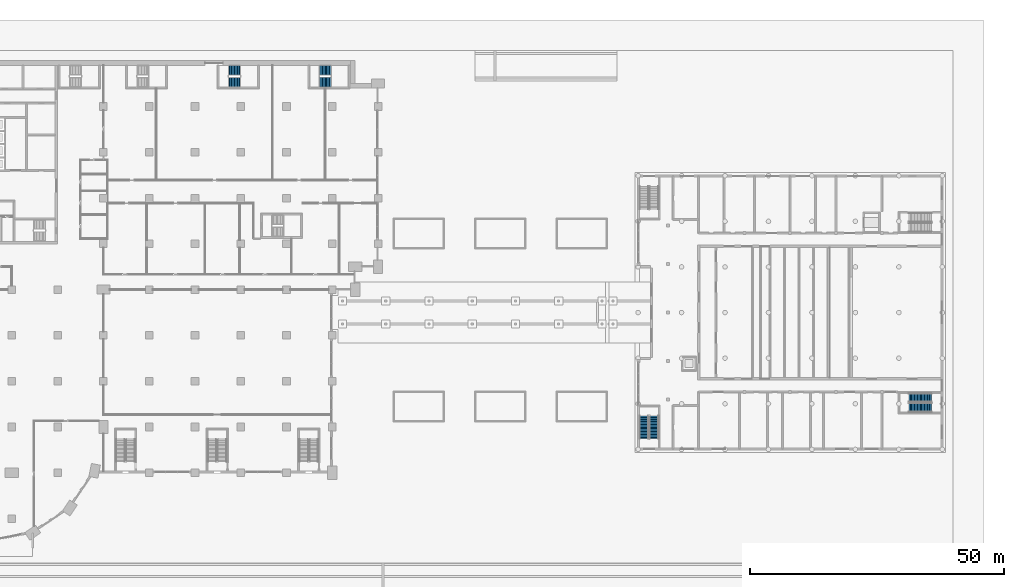
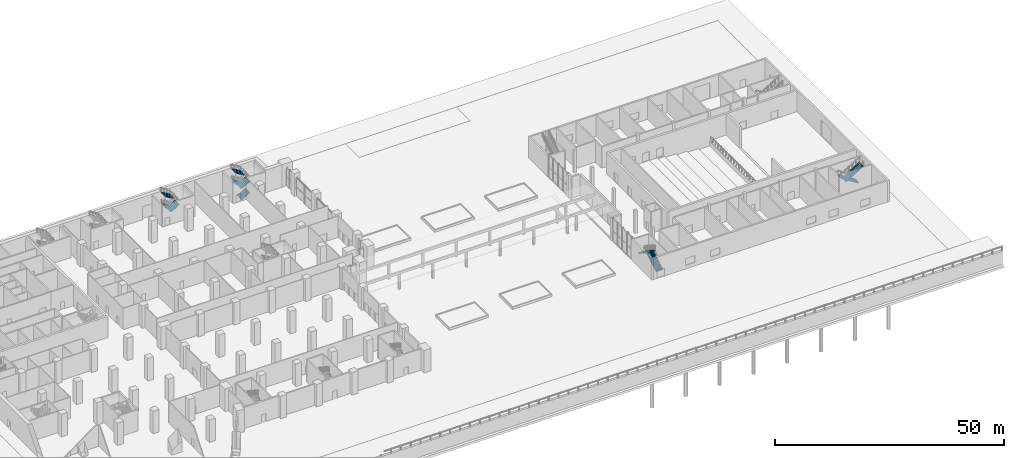
# One storey, part 33 of 47: 11 stair flights, 4 elements without a shape of their own.
"""IFC4 building model written with IfcOpenShell, lengths in metres."""

import ifcopenshell
import ifcopenshell.guid

model = None  # the IFC model being written
_history = None  # IfcOwnerHistory: only IFC2X3 demands one
_inside = {}  # id of a spatial element -> (the spatial element, [elements in it])
_under = {}  # id of a project, library or spatial element -> (it, [spatial elements below it])
_declared = {}  # id of a project -> (the project, [libraries it declares])
_typed = {}  # id of a type object -> (the type object, [elements of that type])
_made_of = {}  # id of a material, layer set ... -> (it, [elements and type objects made of it])


def new_model(schema):
    """Start an empty IFC model of exactly this schema.

    Asked for "IFC4X3", IfcOpenShell would pick the latest addendum, in which some entities
    have other attributes; the version numbers below select the first issue.
    IFC2X3 requires an IfcOwnerHistory on every rooted entity: one is made here for all.
    """
    global model, _history
    if schema == "IFC4X3":
        model = ifcopenshell.file(schema_version=(4, 3, 0, 0))
    else:
        model = ifcopenshell.file(schema=schema)
    _inside.clear()
    _under.clear()
    _declared.clear()
    _typed.clear()
    _made_of.clear()
    _history = None
    if model.schema == "IFC2X3":
        org = make("IfcOrganization", Name="unknown")
        user = make(
            "IfcPersonAndOrganization",
            ThePerson=make("IfcPerson", FamilyName="unknown"),
            TheOrganization=org,
        )
        app = make(
            "IfcApplication",
            ApplicationDeveloper=org,
            Version="unknown",
            ApplicationFullName="unknown",
            ApplicationIdentifier="unknown",
        )
        _history = make(
            "IfcOwnerHistory",
            OwningUser=user,
            OwningApplication=app,
            ChangeAction="ADDED",
            CreationDate=0,
        )
    return model


def make(cls, **values):
    """One entity of the class cls with the attributes given. An attribute that is None is left unset."""
    return model.create_entity(
        cls, **{name: value for name, value in values.items() if value is not None}
    )


def rooted(cls, **values):
    """An entity with a GlobalId (a new one), such as an element, a storey or a relation."""
    return make(cls, GlobalId=ifcopenshell.guid.new(), OwnerHistory=_history, **values)


def si_unit(unit_type, name, prefix=None):
    """IfcSIUnit, for example si_unit("LENGTHUNIT", "METRE", prefix="MILLI")."""
    return make("IfcSIUnit", UnitType=unit_type, Prefix=prefix, Name=name)


def assignment(units):
    """IfcUnitAssignment: the units of a project."""
    return None if units is None else make("IfcUnitAssignment", Units=units)


def point(xyz):
    """IfcCartesianPoint."""
    return None if xyz is None else make("IfcCartesianPoint", Coordinates=xyz)


def direction(xyz):
    """IfcDirection."""
    return None if xyz is None else make("IfcDirection", DirectionRatios=xyz)


def frame(location, z_axis=None, x_axis=None):
    """IfcAxis2Placement3D, a coordinate frame: its origin and axes. An axis left out is left unset."""
    return make(
        "IfcAxis2Placement3D",
        Location=point(location),
        Axis=direction(z_axis),
        RefDirection=direction(x_axis),
    )


def origin():
    """The frame at (0, 0, 0) with its axes left unset."""
    return frame((0.0, 0.0, 0.0))


def place(relative_to, where):
    """IfcLocalPlacement: puts the frame where relative to a parent placement (None: the world)."""
    return make(
        "IfcLocalPlacement", PlacementRelTo=relative_to, RelativePlacement=where
    )


def context(
    kind, dimensions, precision=None, world=None, true_north=None, identifier=None
):
    """IfcGeometricRepresentationContext, for example the 3D "Model" context."""
    return make(
        "IfcGeometricRepresentationContext",
        ContextIdentifier=identifier,
        ContextType=kind,
        CoordinateSpaceDimension=dimensions,
        Precision=precision,
        WorldCoordinateSystem=world,
        TrueNorth=true_north,
    )


def subcontext(parent, identifier, kind, view, scale=None):
    """IfcGeometricRepresentationSubContext, for example "Body" below "Model"."""
    return make(
        "IfcGeometricRepresentationSubContext",
        ContextIdentifier=identifier,
        ContextType=kind,
        ParentContext=parent,
        TargetScale=scale,
        TargetView=view,
    )


def project(units=None, contexts=None):
    """IfcProject with its units and contexts."""
    return rooted(
        "IfcProject",
        Name="project",
        RepresentationContexts=contexts,
        UnitsInContext=assignment(units),
    )


def spatial(cls, under=None, at=None, **own):
    """A site, building, storey or space (cls), placed at a placement, below another one or the project."""
    s = rooted(cls, ObjectPlacement=at, **own)
    if under is not None:
        _under.setdefault(under.id(), (under, []))[1].append(s)
    return s


def polyline(points):
    """IfcPolyline through the points."""
    return make("IfcPolyline", Points=[point(p) for p in points])


def outline(outer, holes=None, kind="AREA"):
    """IfcArbitraryClosedProfileDef: a profile drawn as a closed curve; with holes, ...WithVoids."""
    if holes is None:
        return make("IfcArbitraryClosedProfileDef", ProfileType=kind, OuterCurve=outer)
    return make(
        "IfcArbitraryProfileDefWithVoids",
        ProfileType=kind,
        OuterCurve=outer,
        InnerCurves=holes,
    )


def extrude(swept, where, along, depth):
    """IfcExtrudedAreaSolid: the profile swept, set in the frame where, extruded along a direction by depth."""
    return make(
        "IfcExtrudedAreaSolid",
        SweptArea=swept,
        Position=where,
        ExtrudedDirection=direction(along),
        Depth=depth,
    )


def shape(context_of_items, identifier, shape_type, items):
    """IfcShapeRepresentation: the items that make up one representation, for example the "Body"."""
    return make(
        "IfcShapeRepresentation",
        ContextOfItems=context_of_items,
        RepresentationIdentifier=identifier,
        RepresentationType=shape_type,
        Items=items,
    )


def material(Name=None, Category=None):
    """IfcMaterial."""
    return make("IfcMaterial", Name=Name, Category=Category)


def made_of(thing, what):
    """Note that an element or type object is made of a material, layer set ...; save() writes the relation."""
    if what is not None:
        _made_of.setdefault(what.id(), (what, []))[1].append(thing)
    return thing


def type_object(cls, material=None, **own):
    """A type object (cls), such as IfcWallType, which elements share."""
    return made_of(rooted(cls, **own), material)


def element(
    cls,
    number,
    at=None,
    inside=None,
    cuts=None,
    type_object=None,
    material=None,
    context=None,
    identifier="Body",
    shape_type=None,
    held_by="IfcProductDefinitionShape",
    body=None,
    shapes=None,
    **own,
):
    """One element of the class cls, such as IfcWall. Its Tag is "e" and its number.

    at: its placement. inside: the storey or other place that contains it. cuts: it is an
    opening in that element (IfcRelVoidsElement). A single representation is given by context,
    identifier, shape_type and body (its items); several are given by shapes. held_by: the class
    of the entity that holds the representations. save() writes the other relations.
    """
    e = rooted(cls, Tag="e%d" % number, ObjectPlacement=at, **own)
    if body is not None:
        shapes = [shape(context, identifier, shape_type, body)]
    if shapes is not None:
        e.Representation = make(held_by, Representations=shapes)
    if inside is not None:
        _inside.setdefault(inside.id(), (inside, []))[1].append(e)
    if cuts is not None:
        rooted(
            "IfcRelVoidsElement", RelatingBuildingElement=cuts, RelatedOpeningElement=e
        )
    if type_object is not None:
        _typed.setdefault(type_object.id(), (type_object, []))[1].append(e)
    return made_of(e, material)


def aggregate(whole, parts):
    """IfcRelAggregates: a whole, such as a stair, and the parts it consists of."""
    return rooted("IfcRelAggregates", RelatingObject=whole, RelatedObjects=parts)


def save(model, path):
    """Write the relations noted so far, then the file.

    IfcRelAggregates (storeys below a building ...), IfcRelContainedInSpatialStructure (elements
    in a storey), IfcRelDefinesByType, IfcRelAssociatesMaterial and IfcRelDeclares: one each for
    every whole, place, type object, material and project.
    """
    for whole, parts in _under.values():
        aggregate(whole, parts)
    for where, things in _inside.values():
        rooted(
            "IfcRelContainedInSpatialStructure",
            RelatedElements=things,
            RelatingStructure=where,
        )
    for kind, things in _typed.values():
        rooted("IfcRelDefinesByType", RelatedObjects=things, RelatingType=kind)
    for what, things in _made_of.values():
        rooted("IfcRelAssociatesMaterial", RelatedObjects=things, RelatingMaterial=what)
    for by, libraries in _declared.values():
        rooted("IfcRelDeclares", RelatingContext=by, RelatedDefinitions=libraries)
    model.write(path)


model = new_model("IFC4")

# Units and contexts
model_context = context("Model", 3, precision=1e-05, world=origin(), true_north=direction((0.0, 1.0)))
body_context = subcontext(model_context, "Body", "Model", "MODEL_VIEW")
ifc_project = project(units=[si_unit("LENGTHUNIT", "METRE"), si_unit("AREAUNIT", "SQUARE_METRE"), si_unit("VOLUMEUNIT", "CUBIC_METRE"), si_unit("PLANEANGLEUNIT", "RADIAN"), si_unit("MASSUNIT", "GRAM", prefix="KILO")], contexts=[model_context])

# Site, building, storey
site_placement = place(None, origin())
site = spatial("IfcSite", under=ifc_project, at=site_placement, CompositionType="ELEMENT")
building_placement = place(site_placement, origin())
building = spatial("IfcBuilding", under=site, at=building_placement, Name="Hunhe Ridgeline Campus", CompositionType="ELEMENT")
storey_placement = place(building_placement, origin())
storey = spatial("IfcBuildingStorey", under=building, at=storey_placement, Name="L00", CompositionType="ELEMENT", Elevation=0.0)

# Stair, stair flights
ifc_material = material(Name="Concrete C40", Category="concrete")
stair_type_1 = type_object("IfcStairType", Name="Hall exit stair 1800", PredefinedType="HALF_TURN_STAIR", material=ifc_material)
stair_1_placement = place(storey_placement, origin())
stair_1 = element("IfcStair", 1, at=stair_1_placement, inside=storey, type_object=stair_type_1, Name="L00 hall stair HS1", PredefinedType="HALF_TURN_STAIR")
stair_flight_type_1 = type_object("IfcStairFlightType", Name="Hall stair flight 1800", PredefinedType="STRAIGHT", material=ifc_material)
stair_flight_1_placement = place(storey_placement, frame((153.25, 24.699951171875, 0.0), z_axis=(0.0, 0.0, 1.0), x_axis=(0.0, 1.0, 0.0)))
stair_flight_1 = element("IfcStairFlight", 2, at=stair_flight_1_placement, type_object=stair_flight_type_1, Name="HS1 flight 1", NumberOfRisers=17, NumberOfTreads=16, PredefinedType="STRAIGHT", RiserHeight=0.176470588, TreadLength=0.28, context=body_context, shape_type="SweptSolid", body=[
    extrude(outline(polyline([(0.0, 0.0), (0.0, 0.176513671875), (0.280029296875, 0.176513671875), (0.280029296875, 0.35302734375), (0.56005859375, 0.35302734375), (0.56005859375, 0.529296875), (0.840087890625, 0.529296875), (0.840087890625, 0.705810546875), (1.1201171875, 0.705810546875), (1.1201171875, 0.88232421875), (1.39990234375, 0.88232421875), (1.39990234375, 1.058837890625), (1.679931640625, 1.058837890625), (1.679931640625, 1.2353515625), (1.9599609375, 1.2353515625), (1.9599609375, 1.411865234375), (2.239990234375, 1.411865234375), (2.239990234375, 1.588134765625), (2.52001953125, 1.588134765625), (2.52001953125, 1.7646484375), (2.800048828125, 1.7646484375), (2.800048828125, 1.941162109375), (3.080078125, 1.941162109375), (3.080078125, 2.11767578125), (3.360107421875, 2.11767578125), (3.360107421875, 2.294189453125), (3.639892578125, 2.294189453125), (3.639892578125, 2.470703125), (3.919921875, 2.470703125), (3.919921875, 2.64697265625), (4.199951171875, 2.64697265625), (4.199951171875, 2.823486328125), (4.47998046875, 2.823486328125), (4.47998046875, 3.0), (4.47998046875, 2.646240234375), (0.28125, 0.0), (0.0, 0.0)])), frame((0.0, 0.89990234375, 0.0), z_axis=(0.0, -1.0, 0.0), x_axis=(1.0, 0.0, 0.0)), (0.0, 0.0, 1.0), 1.800048828125),
])
stair_flight_2_placement = place(storey_placement, frame((151.300048828125, 29.179931640625, 3.0), z_axis=(0.0, 0.0, 1.0), x_axis=(0.0, -1.0, 0.0)))
stair_flight_2 = element("IfcStairFlight", 3, at=stair_flight_2_placement, type_object=stair_flight_type_1, Name="HS1 flight 2", NumberOfRisers=17, NumberOfTreads=16, PredefinedType="STRAIGHT", RiserHeight=0.176470588, TreadLength=0.28, context=body_context, shape_type="SweptSolid", body=[
    extrude(outline(polyline([(0.0, 0.0), (0.0, 0.176513671875), (0.280029296875, 0.176513671875), (0.280029296875, 0.35302734375), (0.56005859375, 0.35302734375), (0.56005859375, 0.529296875), (0.840087890625, 0.529296875), (0.840087890625, 0.705810546875), (1.1201171875, 0.705810546875), (1.1201171875, 0.88232421875), (1.39990234375, 0.88232421875), (1.39990234375, 1.058837890625), (1.679931640625, 1.058837890625), (1.679931640625, 1.2353515625), (1.9599609375, 1.2353515625), (1.9599609375, 1.411865234375), (2.239990234375, 1.411865234375), (2.239990234375, 1.588134765625), (2.52001953125, 1.588134765625), (2.52001953125, 1.7646484375), (2.800048828125, 1.7646484375), (2.800048828125, 1.941162109375), (3.080078125, 1.941162109375), (3.080078125, 2.11767578125), (3.360107421875, 2.11767578125), (3.360107421875, 2.294189453125), (3.639892578125, 2.294189453125), (3.639892578125, 2.470703125), (3.919921875, 2.470703125), (3.919921875, 2.64697265625), (4.199951171875, 2.64697265625), (4.199951171875, 2.823486328125), (4.47998046875, 2.823486328125), (4.47998046875, 3.0), (4.47998046875, 2.646240234375), (0.28125, 0.0), (0.0, 0.0)])), frame((0.0, 0.89990234375, 0.0), z_axis=(0.0, -1.0, 0.0), x_axis=(1.0, 0.0, 0.0)), (0.0, 0.0, 1.0), 1.800048828125),
])
aggregate(stair_1, [stair_flight_1, stair_flight_2])

stair_2_placement = place(storey_placement, origin())
stair_2 = element("IfcStair", 4, at=stair_2_placement, inside=storey, type_object=stair_type_1, Name="L00 hall stair HS3", PredefinedType="HALF_TURN_STAIR")
stair_flight_3_placement = place(storey_placement, frame((207.800048828125, 32.75, 0.0), z_axis=(0.0, 0.0, 1.0), x_axis=(-1.0, 0.0, 0.0)))
stair_flight_3 = element("IfcStairFlight", 5, at=stair_flight_3_placement, type_object=stair_flight_type_1, Name="HS3 flight 1", NumberOfRisers=17, NumberOfTreads=16, PredefinedType="STRAIGHT", RiserHeight=0.176470588, TreadLength=0.28, context=body_context, shape_type="SweptSolid", body=[
    extrude(outline(polyline([(0.0, 0.0), (0.0, 0.176513671875), (0.280029296875, 0.176513671875), (0.280029296875, 0.35302734375), (0.56005859375, 0.35302734375), (0.56005859375, 0.529296875), (0.840087890625, 0.529296875), (0.840087890625, 0.705810546875), (1.1201171875, 0.705810546875), (1.1201171875, 0.88232421875), (1.39990234375, 0.88232421875), (1.39990234375, 1.058837890625), (1.679931640625, 1.058837890625), (1.679931640625, 1.2353515625), (1.9599609375, 1.2353515625), (1.9599609375, 1.411865234375), (2.239990234375, 1.411865234375), (2.239990234375, 1.588134765625), (2.52001953125, 1.588134765625), (2.52001953125, 1.7646484375), (2.800048828125, 1.7646484375), (2.800048828125, 1.941162109375), (3.080078125, 1.941162109375), (3.080078125, 2.11767578125), (3.360107421875, 2.11767578125), (3.360107421875, 2.294189453125), (3.639892578125, 2.294189453125), (3.639892578125, 2.470703125), (3.919921875, 2.470703125), (3.919921875, 2.64697265625), (4.199951171875, 2.64697265625), (4.199951171875, 2.823486328125), (4.47998046875, 2.823486328125), (4.47998046875, 3.0), (4.47998046875, 2.646240234375), (0.28125, 0.0), (0.0, 0.0)])), frame((0.0, 0.89990234375, 0.0), z_axis=(0.0, -1.0, 0.0), x_axis=(1.0, 0.0, 0.0)), (0.0, 0.0, 1.0), 1.800048828125),
])
stair_flight_4_placement = place(storey_placement, frame((203.320068359375, 30.800048828125, 3.0), z_axis=(0.0, 0.0, 1.0), x_axis=(1.0, 0.0, 0.0)))
stair_flight_4 = element("IfcStairFlight", 6, at=stair_flight_4_placement, type_object=stair_flight_type_1, Name="HS3 flight 2", NumberOfRisers=17, NumberOfTreads=16, PredefinedType="STRAIGHT", RiserHeight=0.176470588, TreadLength=0.28, context=body_context, shape_type="SweptSolid", body=[
    extrude(outline(polyline([(0.0, 0.0), (0.0, 0.176513671875), (0.280029296875, 0.176513671875), (0.280029296875, 0.35302734375), (0.56005859375, 0.35302734375), (0.56005859375, 0.529296875), (0.840087890625, 0.529296875), (0.840087890625, 0.705810546875), (1.1201171875, 0.705810546875), (1.1201171875, 0.88232421875), (1.39990234375, 0.88232421875), (1.39990234375, 1.058837890625), (1.679931640625, 1.058837890625), (1.679931640625, 1.2353515625), (1.9599609375, 1.2353515625), (1.9599609375, 1.411865234375), (2.239990234375, 1.411865234375), (2.239990234375, 1.588134765625), (2.52001953125, 1.588134765625), (2.52001953125, 1.7646484375), (2.800048828125, 1.7646484375), (2.800048828125, 1.941162109375), (3.080078125, 1.941162109375), (3.080078125, 2.11767578125), (3.360107421875, 2.11767578125), (3.360107421875, 2.294189453125), (3.639892578125, 2.294189453125), (3.639892578125, 2.470703125), (3.919921875, 2.470703125), (3.919921875, 2.64697265625), (4.199951171875, 2.64697265625), (4.199951171875, 2.823486328125), (4.47998046875, 2.823486328125), (4.47998046875, 3.0), (4.47998046875, 2.646240234375), (0.28125, 0.0), (0.0, 0.0)])), frame((0.0, 0.89990234375, 0.0), z_axis=(0.0, -1.0, 0.0), x_axis=(1.0, 0.0, 0.0)), (0.0, 0.0, 1.0), 1.800048828125),
])
aggregate(stair_2, [stair_flight_3, stair_flight_4])

stair_type_2 = type_object("IfcStairType", Name="Reinforced concrete dog-leg stair 1950 Concrete C40", PredefinedType="HALF_TURN_STAIR", material=ifc_material)
stair_3_placement = place(storey_placement, origin())
stair_3 = element("IfcStair", 7, at=stair_3_placement, inside=storey, type_object=stair_type_2, Name="L00 E3", PredefinedType="HALF_TURN_STAIR")
stair_flight_type_2 = type_object("IfcStairFlightType", Name="Reinforced concrete stair flight 1950 Concrete C40", PredefinedType="STRAIGHT", material=ifc_material)
stair_flight_5_placement = place(storey_placement, frame((71.889892578125, 97.125, 1.5), z_axis=(0.0, 0.0, 1.0), x_axis=(-1.0, 0.0, 0.0)))
stair_flight_5 = element("IfcStairFlight", 8, at=stair_flight_5_placement, type_object=stair_flight_type_2, Name="ST7 flight 2", NumberOfRisers=9, NumberOfTreads=8, PredefinedType="STRAIGHT", RiserHeight=0.166666667, TreadLength=0.28, context=body_context, shape_type="SweptSolid", body=[
    extrude(outline(polyline([(0.0, 0.0), (0.0, 0.166748046875), (0.280029296875, 0.166748046875), (0.280029296875, 0.333251953125), (0.56005859375, 0.333251953125), (0.56005859375, 0.5), (0.840087890625, 0.5), (0.840087890625, 0.666748046875), (1.1201171875, 0.666748046875), (1.1201171875, 0.833251953125), (1.39990234375, 0.833251953125), (1.39990234375, 1.0), (1.679931640625, 1.0), (1.679931640625, 1.166748046875), (1.9599609375, 1.166748046875), (1.9599609375, 1.333251953125), (2.239990234375, 1.333251953125), (2.239990234375, 1.5), (2.239990234375, 1.158935546875), (0.29296875, 0.0), (0.0, 0.0)])), frame((0.0, 0.97509765625, 0.0), z_axis=(0.0, -1.0, 0.0), x_axis=(1.0, 0.0, 0.0)), (0.0, 0.0, 1.0), 1.949951171875),
    extrude(outline(polyline([(0.030029296875, 0.030029296875), (0.030029296875, 0.13671875), (0.31005859375, 0.13671875), (0.31005859375, 0.30322265625), (0.590087890625, 0.30322265625), (0.590087890625, 0.469970703125), (0.8701171875, 0.469970703125), (0.8701171875, 0.63671875), (1.14990234375, 0.63671875), (1.14990234375, 0.80322265625), (1.429931640625, 0.80322265625), (1.429931640625, 0.969970703125), (1.7099609375, 0.969970703125), (1.7099609375, 1.13671875), (1.989990234375, 1.13671875), (1.989990234375, 1.30322265625), (2.2099609375, 1.30322265625), (2.2099609375, 1.17578125), (0.284912109375, 0.030029296875), (0.030029296875, 0.030029296875)])), frame((0.0, -0.070068359375, 0.0), z_axis=(0.0, -1.0, 0.0), x_axis=(1.0, 0.0, 0.0)), (0.0, 0.0, 1.0), 0.019775390625),
    extrude(outline(polyline([(0.030029296875, 0.030029296875), (0.030029296875, 0.13671875), (0.31005859375, 0.13671875), (0.31005859375, 0.30322265625), (0.590087890625, 0.30322265625), (0.590087890625, 0.469970703125), (0.8701171875, 0.469970703125), (0.8701171875, 0.63671875), (1.14990234375, 0.63671875), (1.14990234375, 0.80322265625), (1.429931640625, 0.80322265625), (1.429931640625, 0.969970703125), (1.7099609375, 0.969970703125), (1.7099609375, 1.13671875), (1.989990234375, 1.13671875), (1.989990234375, 1.30322265625), (2.2099609375, 1.30322265625), (2.2099609375, 1.17578125), (0.284912109375, 0.030029296875), (0.030029296875, 0.030029296875)])), frame((0.0, 0.010009765625, 0.0), z_axis=(0.0, -1.0, 0.0), x_axis=(1.0, 0.0, 0.0)), (0.0, 0.0, 1.0), 0.019775390625),
    extrude(outline(polyline([(0.030029296875, 0.030029296875), (0.030029296875, 0.13671875), (0.31005859375, 0.13671875), (0.31005859375, 0.30322265625), (0.590087890625, 0.30322265625), (0.590087890625, 0.469970703125), (0.8701171875, 0.469970703125), (0.8701171875, 0.63671875), (1.14990234375, 0.63671875), (1.14990234375, 0.80322265625), (1.429931640625, 0.80322265625), (1.429931640625, 0.969970703125), (1.7099609375, 0.969970703125), (1.7099609375, 1.13671875), (1.989990234375, 1.13671875), (1.989990234375, 1.30322265625), (2.2099609375, 1.30322265625), (2.2099609375, 1.17578125), (0.284912109375, 0.030029296875), (0.030029296875, 0.030029296875)])), frame((0.0, 0.090087890625, 0.0), z_axis=(0.0, -1.0, 0.0), x_axis=(1.0, 0.0, 0.0)), (0.0, 0.0, 1.0), 0.019775390625),
])
stair_flight_6_placement = place(storey_placement, frame((69.64990234375, 94.77490234375, 3.0), z_axis=(0.0, 0.0, 1.0), x_axis=(1.0, 0.0, 0.0)))
stair_flight_6 = element("IfcStairFlight", 9, at=stair_flight_6_placement, type_object=stair_flight_type_2, Name="ST7 flight 3", NumberOfRisers=9, NumberOfTreads=8, PredefinedType="STRAIGHT", RiserHeight=0.166666667, TreadLength=0.28, context=body_context, shape_type="SweptSolid", body=[
    extrude(outline(polyline([(0.0, 0.0), (0.0, 0.166748046875), (0.280029296875, 0.166748046875), (0.280029296875, 0.333251953125), (0.56005859375, 0.333251953125), (0.56005859375, 0.5), (0.840087890625, 0.5), (0.840087890625, 0.666748046875), (1.1201171875, 0.666748046875), (1.1201171875, 0.833251953125), (1.39990234375, 0.833251953125), (1.39990234375, 1.0), (1.679931640625, 1.0), (1.679931640625, 1.166748046875), (1.9599609375, 1.166748046875), (1.9599609375, 1.333251953125), (2.239990234375, 1.333251953125), (2.239990234375, 1.5), (2.239990234375, 1.158935546875), (0.29296875, 0.0), (0.0, 0.0)])), frame((0.0, 0.97509765625, 0.0), z_axis=(0.0, -1.0, 0.0), x_axis=(1.0, 0.0, 0.0)), (0.0, 0.0, 1.0), 1.949951171875),
    extrude(outline(polyline([(0.030029296875, 0.030029296875), (0.030029296875, 0.13671875), (0.31005859375, 0.13671875), (0.31005859375, 0.30322265625), (0.590087890625, 0.30322265625), (0.590087890625, 0.469970703125), (0.8701171875, 0.469970703125), (0.8701171875, 0.63671875), (1.14990234375, 0.63671875), (1.14990234375, 0.80322265625), (1.429931640625, 0.80322265625), (1.429931640625, 0.969970703125), (1.7099609375, 0.969970703125), (1.7099609375, 1.13671875), (1.989990234375, 1.13671875), (1.989990234375, 1.30322265625), (2.2099609375, 1.30322265625), (2.2099609375, 1.17578125), (0.284912109375, 0.030029296875), (0.030029296875, 0.030029296875)])), frame((0.0, -0.070068359375, 0.0), z_axis=(0.0, -1.0, 0.0), x_axis=(1.0, 0.0, 0.0)), (0.0, 0.0, 1.0), 0.019775390625),
    extrude(outline(polyline([(0.030029296875, 0.030029296875), (0.030029296875, 0.13671875), (0.31005859375, 0.13671875), (0.31005859375, 0.30322265625), (0.590087890625, 0.30322265625), (0.590087890625, 0.469970703125), (0.8701171875, 0.469970703125), (0.8701171875, 0.63671875), (1.14990234375, 0.63671875), (1.14990234375, 0.80322265625), (1.429931640625, 0.80322265625), (1.429931640625, 0.969970703125), (1.7099609375, 0.969970703125), (1.7099609375, 1.13671875), (1.989990234375, 1.13671875), (1.989990234375, 1.30322265625), (2.2099609375, 1.30322265625), (2.2099609375, 1.17578125), (0.284912109375, 0.030029296875), (0.030029296875, 0.030029296875)])), frame((0.0, 0.010009765625, 0.0), z_axis=(0.0, -1.0, 0.0), x_axis=(1.0, 0.0, 0.0)), (0.0, 0.0, 1.0), 0.019775390625),
    extrude(outline(polyline([(0.030029296875, 0.030029296875), (0.030029296875, 0.13671875), (0.31005859375, 0.13671875), (0.31005859375, 0.30322265625), (0.590087890625, 0.30322265625), (0.590087890625, 0.469970703125), (0.8701171875, 0.469970703125), (0.8701171875, 0.63671875), (1.14990234375, 0.63671875), (1.14990234375, 0.80322265625), (1.429931640625, 0.80322265625), (1.429931640625, 0.969970703125), (1.7099609375, 0.969970703125), (1.7099609375, 1.13671875), (1.989990234375, 1.13671875), (1.989990234375, 1.30322265625), (2.2099609375, 1.30322265625), (2.2099609375, 1.17578125), (0.284912109375, 0.030029296875), (0.030029296875, 0.030029296875)])), frame((0.0, 0.090087890625, 0.0), z_axis=(0.0, -1.0, 0.0), x_axis=(1.0, 0.0, 0.0)), (0.0, 0.0, 1.0), 0.019775390625),
])
stair_flight_7_placement = place(storey_placement, frame((71.889892578125, 97.125, 4.5), z_axis=(0.0, 0.0, 1.0), x_axis=(-1.0, 0.0, 0.0)))
stair_flight_7 = element("IfcStairFlight", 10, at=stair_flight_7_placement, type_object=stair_flight_type_2, Name="ST7 flight 4", NumberOfRisers=9, NumberOfTreads=8, PredefinedType="STRAIGHT", RiserHeight=0.166666667, TreadLength=0.28, context=body_context, shape_type="SweptSolid", body=[
    extrude(outline(polyline([(0.0, 0.0), (0.0, 0.166748046875), (0.280029296875, 0.166748046875), (0.280029296875, 0.333251953125), (0.56005859375, 0.333251953125), (0.56005859375, 0.5), (0.840087890625, 0.5), (0.840087890625, 0.666748046875), (1.1201171875, 0.666748046875), (1.1201171875, 0.833251953125), (1.39990234375, 0.833251953125), (1.39990234375, 1.0), (1.679931640625, 1.0), (1.679931640625, 1.166748046875), (1.9599609375, 1.166748046875), (1.9599609375, 1.333251953125), (2.239990234375, 1.333251953125), (2.239990234375, 1.5), (2.239990234375, 1.158935546875), (0.29296875, 0.0), (0.0, 0.0)])), frame((0.0, 0.97509765625, 0.0), z_axis=(0.0, -1.0, 0.0), x_axis=(1.0, 0.0, 0.0)), (0.0, 0.0, 1.0), 1.949951171875),
    extrude(outline(polyline([(0.030029296875, 0.030029296875), (0.030029296875, 0.13671875), (0.31005859375, 0.13671875), (0.31005859375, 0.30322265625), (0.590087890625, 0.30322265625), (0.590087890625, 0.469970703125), (0.8701171875, 0.469970703125), (0.8701171875, 0.63671875), (1.14990234375, 0.63671875), (1.14990234375, 0.80322265625), (1.429931640625, 0.80322265625), (1.429931640625, 0.969970703125), (1.7099609375, 0.969970703125), (1.7099609375, 1.13671875), (1.989990234375, 1.13671875), (1.989990234375, 1.30322265625), (2.2099609375, 1.30322265625), (2.2099609375, 1.17578125), (0.284912109375, 0.030029296875), (0.030029296875, 0.030029296875)])), frame((0.0, -0.070068359375, 0.0), z_axis=(0.0, -1.0, 0.0), x_axis=(1.0, 0.0, 0.0)), (0.0, 0.0, 1.0), 0.019775390625),
    extrude(outline(polyline([(0.030029296875, 0.030029296875), (0.030029296875, 0.13671875), (0.31005859375, 0.13671875), (0.31005859375, 0.30322265625), (0.590087890625, 0.30322265625), (0.590087890625, 0.469970703125), (0.8701171875, 0.469970703125), (0.8701171875, 0.63671875), (1.14990234375, 0.63671875), (1.14990234375, 0.80322265625), (1.429931640625, 0.80322265625), (1.429931640625, 0.969970703125), (1.7099609375, 0.969970703125), (1.7099609375, 1.13671875), (1.989990234375, 1.13671875), (1.989990234375, 1.30322265625), (2.2099609375, 1.30322265625), (2.2099609375, 1.17578125), (0.284912109375, 0.030029296875), (0.030029296875, 0.030029296875)])), frame((0.0, 0.010009765625, 0.0), z_axis=(0.0, -1.0, 0.0), x_axis=(1.0, 0.0, 0.0)), (0.0, 0.0, 1.0), 0.019775390625),
    extrude(outline(polyline([(0.030029296875, 0.030029296875), (0.030029296875, 0.13671875), (0.31005859375, 0.13671875), (0.31005859375, 0.30322265625), (0.590087890625, 0.30322265625), (0.590087890625, 0.469970703125), (0.8701171875, 0.469970703125), (0.8701171875, 0.63671875), (1.14990234375, 0.63671875), (1.14990234375, 0.80322265625), (1.429931640625, 0.80322265625), (1.429931640625, 0.969970703125), (1.7099609375, 0.969970703125), (1.7099609375, 1.13671875), (1.989990234375, 1.13671875), (1.989990234375, 1.30322265625), (2.2099609375, 1.30322265625), (2.2099609375, 1.17578125), (0.284912109375, 0.030029296875), (0.030029296875, 0.030029296875)])), frame((0.0, 0.090087890625, 0.0), z_axis=(0.0, -1.0, 0.0), x_axis=(1.0, 0.0, 0.0)), (0.0, 0.0, 1.0), 0.019775390625),
])
aggregate(stair_3, [stair_flight_5, stair_flight_6, stair_flight_7])

stair_4_placement = place(storey_placement, origin())
stair_4 = element("IfcStair", 11, at=stair_4_placement, inside=storey, type_object=stair_type_2, Name="L00 E4", PredefinedType="HALF_TURN_STAIR")
stair_flight_8_placement = place(storey_placement, frame((87.5, 94.77490234375, 0.0), z_axis=(0.0, 0.0, 1.0), x_axis=(1.0, 0.0, 0.0)))
stair_flight_8 = element("IfcStairFlight", 12, at=stair_flight_8_placement, type_object=stair_flight_type_2, Name="ST8 flight 1", NumberOfRisers=9, NumberOfTreads=8, PredefinedType="STRAIGHT", RiserHeight=0.166666667, TreadLength=0.28, context=body_context, shape_type="SweptSolid", body=[
    extrude(outline(polyline([(0.0, 0.0), (0.0, 0.166748046875), (0.280029296875, 0.166748046875), (0.280029296875, 0.333251953125), (0.56005859375, 0.333251953125), (0.56005859375, 0.5), (0.840087890625, 0.5), (0.840087890625, 0.666748046875), (1.1201171875, 0.666748046875), (1.1201171875, 0.833251953125), (1.39990234375, 0.833251953125), (1.39990234375, 1.0), (1.679931640625, 1.0), (1.679931640625, 1.166748046875), (1.9599609375, 1.166748046875), (1.9599609375, 1.333251953125), (2.239990234375, 1.333251953125), (2.239990234375, 1.5), (2.239990234375, 1.158935546875), (0.29296875, 0.0), (0.0, 0.0)])), frame((0.0, 0.97509765625, 0.0), z_axis=(0.0, -1.0, 0.0), x_axis=(1.0, 0.0, 0.0)), (0.0, 0.0, 1.0), 1.949951171875),
    extrude(outline(polyline([(0.030029296875, 0.030029296875), (0.030029296875, 0.13671875), (0.31005859375, 0.13671875), (0.31005859375, 0.30322265625), (0.590087890625, 0.30322265625), (0.590087890625, 0.469970703125), (0.8701171875, 0.469970703125), (0.8701171875, 0.63671875), (1.14990234375, 0.63671875), (1.14990234375, 0.80322265625), (1.429931640625, 0.80322265625), (1.429931640625, 0.969970703125), (1.7099609375, 0.969970703125), (1.7099609375, 1.13671875), (1.989990234375, 1.13671875), (1.989990234375, 1.30322265625), (2.2099609375, 1.30322265625), (2.2099609375, 1.17578125), (0.284912109375, 0.030029296875), (0.030029296875, 0.030029296875)])), frame((0.0, -0.070068359375, 0.0), z_axis=(0.0, -1.0, 0.0), x_axis=(1.0, 0.0, 0.0)), (0.0, 0.0, 1.0), 0.019775390625),
    extrude(outline(polyline([(0.030029296875, 0.030029296875), (0.030029296875, 0.13671875), (0.31005859375, 0.13671875), (0.31005859375, 0.30322265625), (0.590087890625, 0.30322265625), (0.590087890625, 0.469970703125), (0.8701171875, 0.469970703125), (0.8701171875, 0.63671875), (1.14990234375, 0.63671875), (1.14990234375, 0.80322265625), (1.429931640625, 0.80322265625), (1.429931640625, 0.969970703125), (1.7099609375, 0.969970703125), (1.7099609375, 1.13671875), (1.989990234375, 1.13671875), (1.989990234375, 1.30322265625), (2.2099609375, 1.30322265625), (2.2099609375, 1.17578125), (0.284912109375, 0.030029296875), (0.030029296875, 0.030029296875)])), frame((0.0, 0.010009765625, 0.0), z_axis=(0.0, -1.0, 0.0), x_axis=(1.0, 0.0, 0.0)), (0.0, 0.0, 1.0), 0.019775390625),
    extrude(outline(polyline([(0.030029296875, 0.030029296875), (0.030029296875, 0.13671875), (0.31005859375, 0.13671875), (0.31005859375, 0.30322265625), (0.590087890625, 0.30322265625), (0.590087890625, 0.469970703125), (0.8701171875, 0.469970703125), (0.8701171875, 0.63671875), (1.14990234375, 0.63671875), (1.14990234375, 0.80322265625), (1.429931640625, 0.80322265625), (1.429931640625, 0.969970703125), (1.7099609375, 0.969970703125), (1.7099609375, 1.13671875), (1.989990234375, 1.13671875), (1.989990234375, 1.30322265625), (2.2099609375, 1.30322265625), (2.2099609375, 1.17578125), (0.284912109375, 0.030029296875), (0.030029296875, 0.030029296875)])), frame((0.0, 0.090087890625, 0.0), z_axis=(0.0, -1.0, 0.0), x_axis=(1.0, 0.0, 0.0)), (0.0, 0.0, 1.0), 0.019775390625),
])
stair_flight_9_placement = place(storey_placement, frame((89.739990234375, 97.125, 1.5), z_axis=(0.0, 0.0, 1.0), x_axis=(-1.0, 0.0, 0.0)))
stair_flight_9 = element("IfcStairFlight", 13, at=stair_flight_9_placement, type_object=stair_flight_type_2, Name="ST8 flight 2", NumberOfRisers=9, NumberOfTreads=8, PredefinedType="STRAIGHT", RiserHeight=0.166666667, TreadLength=0.28, context=body_context, shape_type="SweptSolid", body=[
    extrude(outline(polyline([(0.0, 0.0), (0.0, 0.166748046875), (0.280029296875, 0.166748046875), (0.280029296875, 0.333251953125), (0.56005859375, 0.333251953125), (0.56005859375, 0.5), (0.840087890625, 0.5), (0.840087890625, 0.666748046875), (1.1201171875, 0.666748046875), (1.1201171875, 0.833251953125), (1.39990234375, 0.833251953125), (1.39990234375, 1.0), (1.679931640625, 1.0), (1.679931640625, 1.166748046875), (1.9599609375, 1.166748046875), (1.9599609375, 1.333251953125), (2.239990234375, 1.333251953125), (2.239990234375, 1.5), (2.239990234375, 1.158935546875), (0.29296875, 0.0), (0.0, 0.0)])), frame((0.0, 0.97509765625, 0.0), z_axis=(0.0, -1.0, 0.0), x_axis=(1.0, 0.0, 0.0)), (0.0, 0.0, 1.0), 1.949951171875),
    extrude(outline(polyline([(0.030029296875, 0.030029296875), (0.030029296875, 0.13671875), (0.31005859375, 0.13671875), (0.31005859375, 0.30322265625), (0.590087890625, 0.30322265625), (0.590087890625, 0.469970703125), (0.8701171875, 0.469970703125), (0.8701171875, 0.63671875), (1.14990234375, 0.63671875), (1.14990234375, 0.80322265625), (1.429931640625, 0.80322265625), (1.429931640625, 0.969970703125), (1.7099609375, 0.969970703125), (1.7099609375, 1.13671875), (1.989990234375, 1.13671875), (1.989990234375, 1.30322265625), (2.2099609375, 1.30322265625), (2.2099609375, 1.17578125), (0.284912109375, 0.030029296875), (0.030029296875, 0.030029296875)])), frame((0.0, -0.070068359375, 0.0), z_axis=(0.0, -1.0, 0.0), x_axis=(1.0, 0.0, 0.0)), (0.0, 0.0, 1.0), 0.019775390625),
    extrude(outline(polyline([(0.030029296875, 0.030029296875), (0.030029296875, 0.13671875), (0.31005859375, 0.13671875), (0.31005859375, 0.30322265625), (0.590087890625, 0.30322265625), (0.590087890625, 0.469970703125), (0.8701171875, 0.469970703125), (0.8701171875, 0.63671875), (1.14990234375, 0.63671875), (1.14990234375, 0.80322265625), (1.429931640625, 0.80322265625), (1.429931640625, 0.969970703125), (1.7099609375, 0.969970703125), (1.7099609375, 1.13671875), (1.989990234375, 1.13671875), (1.989990234375, 1.30322265625), (2.2099609375, 1.30322265625), (2.2099609375, 1.17578125), (0.284912109375, 0.030029296875), (0.030029296875, 0.030029296875)])), frame((0.0, 0.010009765625, 0.0), z_axis=(0.0, -1.0, 0.0), x_axis=(1.0, 0.0, 0.0)), (0.0, 0.0, 1.0), 0.019775390625),
    extrude(outline(polyline([(0.030029296875, 0.030029296875), (0.030029296875, 0.13671875), (0.31005859375, 0.13671875), (0.31005859375, 0.30322265625), (0.590087890625, 0.30322265625), (0.590087890625, 0.469970703125), (0.8701171875, 0.469970703125), (0.8701171875, 0.63671875), (1.14990234375, 0.63671875), (1.14990234375, 0.80322265625), (1.429931640625, 0.80322265625), (1.429931640625, 0.969970703125), (1.7099609375, 0.969970703125), (1.7099609375, 1.13671875), (1.989990234375, 1.13671875), (1.989990234375, 1.30322265625), (2.2099609375, 1.30322265625), (2.2099609375, 1.17578125), (0.284912109375, 0.030029296875), (0.030029296875, 0.030029296875)])), frame((0.0, 0.090087890625, 0.0), z_axis=(0.0, -1.0, 0.0), x_axis=(1.0, 0.0, 0.0)), (0.0, 0.0, 1.0), 0.019775390625),
])
stair_flight_10_placement = place(storey_placement, frame((87.5, 94.77490234375, 3.0), z_axis=(0.0, 0.0, 1.0), x_axis=(1.0, 0.0, 0.0)))
stair_flight_10 = element("IfcStairFlight", 14, at=stair_flight_10_placement, type_object=stair_flight_type_2, Name="ST8 flight 3", NumberOfRisers=9, NumberOfTreads=8, PredefinedType="STRAIGHT", RiserHeight=0.166666667, TreadLength=0.28, context=body_context, shape_type="SweptSolid", body=[
    extrude(outline(polyline([(0.0, 0.0), (0.0, 0.166748046875), (0.280029296875, 0.166748046875), (0.280029296875, 0.333251953125), (0.56005859375, 0.333251953125), (0.56005859375, 0.5), (0.840087890625, 0.5), (0.840087890625, 0.666748046875), (1.1201171875, 0.666748046875), (1.1201171875, 0.833251953125), (1.39990234375, 0.833251953125), (1.39990234375, 1.0), (1.679931640625, 1.0), (1.679931640625, 1.166748046875), (1.9599609375, 1.166748046875), (1.9599609375, 1.333251953125), (2.239990234375, 1.333251953125), (2.239990234375, 1.5), (2.239990234375, 1.158935546875), (0.29296875, 0.0), (0.0, 0.0)])), frame((0.0, 0.97509765625, 0.0), z_axis=(0.0, -1.0, 0.0), x_axis=(1.0, 0.0, 0.0)), (0.0, 0.0, 1.0), 1.949951171875),
    extrude(outline(polyline([(0.030029296875, 0.030029296875), (0.030029296875, 0.13671875), (0.31005859375, 0.13671875), (0.31005859375, 0.30322265625), (0.590087890625, 0.30322265625), (0.590087890625, 0.469970703125), (0.8701171875, 0.469970703125), (0.8701171875, 0.63671875), (1.14990234375, 0.63671875), (1.14990234375, 0.80322265625), (1.429931640625, 0.80322265625), (1.429931640625, 0.969970703125), (1.7099609375, 0.969970703125), (1.7099609375, 1.13671875), (1.989990234375, 1.13671875), (1.989990234375, 1.30322265625), (2.2099609375, 1.30322265625), (2.2099609375, 1.17578125), (0.284912109375, 0.030029296875), (0.030029296875, 0.030029296875)])), frame((0.0, -0.070068359375, 0.0), z_axis=(0.0, -1.0, 0.0), x_axis=(1.0, 0.0, 0.0)), (0.0, 0.0, 1.0), 0.019775390625),
    extrude(outline(polyline([(0.030029296875, 0.030029296875), (0.030029296875, 0.13671875), (0.31005859375, 0.13671875), (0.31005859375, 0.30322265625), (0.590087890625, 0.30322265625), (0.590087890625, 0.469970703125), (0.8701171875, 0.469970703125), (0.8701171875, 0.63671875), (1.14990234375, 0.63671875), (1.14990234375, 0.80322265625), (1.429931640625, 0.80322265625), (1.429931640625, 0.969970703125), (1.7099609375, 0.969970703125), (1.7099609375, 1.13671875), (1.989990234375, 1.13671875), (1.989990234375, 1.30322265625), (2.2099609375, 1.30322265625), (2.2099609375, 1.17578125), (0.284912109375, 0.030029296875), (0.030029296875, 0.030029296875)])), frame((0.0, 0.010009765625, 0.0), z_axis=(0.0, -1.0, 0.0), x_axis=(1.0, 0.0, 0.0)), (0.0, 0.0, 1.0), 0.019775390625),
    extrude(outline(polyline([(0.030029296875, 0.030029296875), (0.030029296875, 0.13671875), (0.31005859375, 0.13671875), (0.31005859375, 0.30322265625), (0.590087890625, 0.30322265625), (0.590087890625, 0.469970703125), (0.8701171875, 0.469970703125), (0.8701171875, 0.63671875), (1.14990234375, 0.63671875), (1.14990234375, 0.80322265625), (1.429931640625, 0.80322265625), (1.429931640625, 0.969970703125), (1.7099609375, 0.969970703125), (1.7099609375, 1.13671875), (1.989990234375, 1.13671875), (1.989990234375, 1.30322265625), (2.2099609375, 1.30322265625), (2.2099609375, 1.17578125), (0.284912109375, 0.030029296875), (0.030029296875, 0.030029296875)])), frame((0.0, 0.090087890625, 0.0), z_axis=(0.0, -1.0, 0.0), x_axis=(1.0, 0.0, 0.0)), (0.0, 0.0, 1.0), 0.019775390625),
])
stair_flight_11_placement = place(storey_placement, frame((89.739990234375, 97.125, 4.5), z_axis=(0.0, 0.0, 1.0), x_axis=(-1.0, 0.0, 0.0)))
stair_flight_11 = element("IfcStairFlight", 15, at=stair_flight_11_placement, type_object=stair_flight_type_2, Name="ST8 flight 4", NumberOfRisers=9, NumberOfTreads=8, PredefinedType="STRAIGHT", RiserHeight=0.166666667, TreadLength=0.28, context=body_context, shape_type="SweptSolid", body=[
    extrude(outline(polyline([(0.0, 0.0), (0.0, 0.166748046875), (0.280029296875, 0.166748046875), (0.280029296875, 0.333251953125), (0.56005859375, 0.333251953125), (0.56005859375, 0.5), (0.840087890625, 0.5), (0.840087890625, 0.666748046875), (1.1201171875, 0.666748046875), (1.1201171875, 0.833251953125), (1.39990234375, 0.833251953125), (1.39990234375, 1.0), (1.679931640625, 1.0), (1.679931640625, 1.166748046875), (1.9599609375, 1.166748046875), (1.9599609375, 1.333251953125), (2.239990234375, 1.333251953125), (2.239990234375, 1.5), (2.239990234375, 1.158935546875), (0.29296875, 0.0), (0.0, 0.0)])), frame((0.0, 0.97509765625, 0.0), z_axis=(0.0, -1.0, 0.0), x_axis=(1.0, 0.0, 0.0)), (0.0, 0.0, 1.0), 1.949951171875),
    extrude(outline(polyline([(0.030029296875, 0.030029296875), (0.030029296875, 0.13671875), (0.31005859375, 0.13671875), (0.31005859375, 0.30322265625), (0.590087890625, 0.30322265625), (0.590087890625, 0.469970703125), (0.8701171875, 0.469970703125), (0.8701171875, 0.63671875), (1.14990234375, 0.63671875), (1.14990234375, 0.80322265625), (1.429931640625, 0.80322265625), (1.429931640625, 0.969970703125), (1.7099609375, 0.969970703125), (1.7099609375, 1.13671875), (1.989990234375, 1.13671875), (1.989990234375, 1.30322265625), (2.2099609375, 1.30322265625), (2.2099609375, 1.17578125), (0.284912109375, 0.030029296875), (0.030029296875, 0.030029296875)])), frame((0.0, -0.070068359375, 0.0), z_axis=(0.0, -1.0, 0.0), x_axis=(1.0, 0.0, 0.0)), (0.0, 0.0, 1.0), 0.019775390625),
    extrude(outline(polyline([(0.030029296875, 0.030029296875), (0.030029296875, 0.13671875), (0.31005859375, 0.13671875), (0.31005859375, 0.30322265625), (0.590087890625, 0.30322265625), (0.590087890625, 0.469970703125), (0.8701171875, 0.469970703125), (0.8701171875, 0.63671875), (1.14990234375, 0.63671875), (1.14990234375, 0.80322265625), (1.429931640625, 0.80322265625), (1.429931640625, 0.969970703125), (1.7099609375, 0.969970703125), (1.7099609375, 1.13671875), (1.989990234375, 1.13671875), (1.989990234375, 1.30322265625), (2.2099609375, 1.30322265625), (2.2099609375, 1.17578125), (0.284912109375, 0.030029296875), (0.030029296875, 0.030029296875)])), frame((0.0, 0.010009765625, 0.0), z_axis=(0.0, -1.0, 0.0), x_axis=(1.0, 0.0, 0.0)), (0.0, 0.0, 1.0), 0.019775390625),
    extrude(outline(polyline([(0.030029296875, 0.030029296875), (0.030029296875, 0.13671875), (0.31005859375, 0.13671875), (0.31005859375, 0.30322265625), (0.590087890625, 0.30322265625), (0.590087890625, 0.469970703125), (0.8701171875, 0.469970703125), (0.8701171875, 0.63671875), (1.14990234375, 0.63671875), (1.14990234375, 0.80322265625), (1.429931640625, 0.80322265625), (1.429931640625, 0.969970703125), (1.7099609375, 0.969970703125), (1.7099609375, 1.13671875), (1.989990234375, 1.13671875), (1.989990234375, 1.30322265625), (2.2099609375, 1.30322265625), (2.2099609375, 1.17578125), (0.284912109375, 0.030029296875), (0.030029296875, 0.030029296875)])), frame((0.0, 0.090087890625, 0.0), z_axis=(0.0, -1.0, 0.0), x_axis=(1.0, 0.0, 0.0)), (0.0, 0.0, 1.0), 0.019775390625),
])
aggregate(stair_4, [stair_flight_8, stair_flight_9, stair_flight_10, stair_flight_11])

save(model, "model.ifc")
